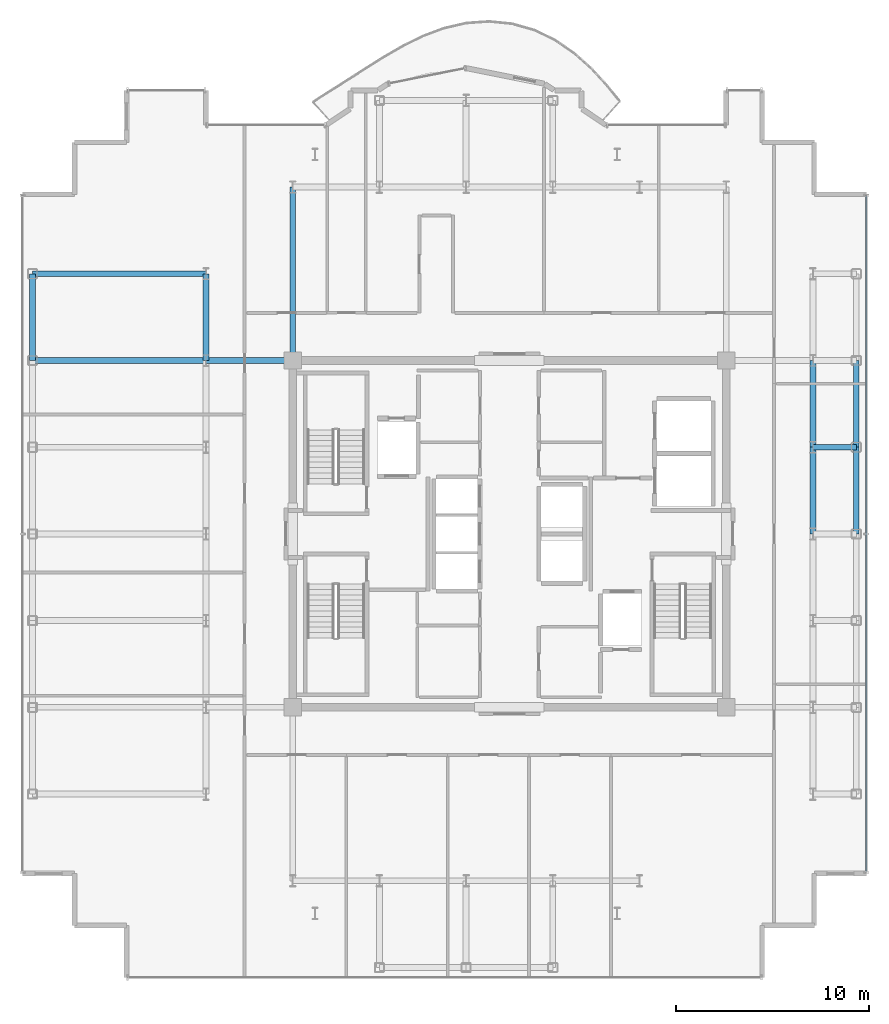
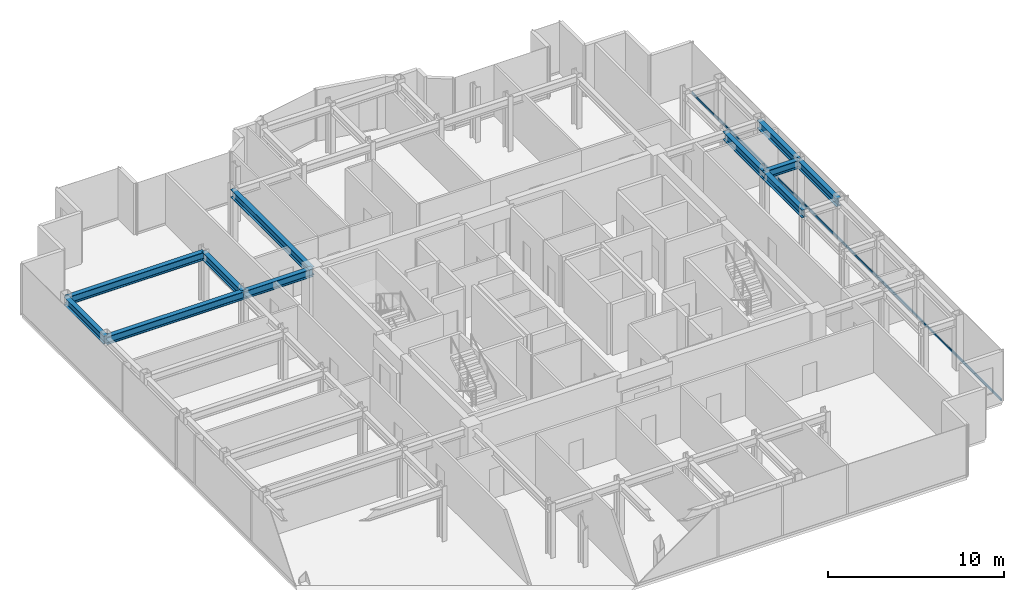
# One storey, part 8 of 18: 11 beams, 1 member, 1 element without a shape of its own.
"""IFC4 building model written with IfcOpenShell, lengths in metres."""

from ifc_helpers import new_model, si_unit, direction, frame, origin, origin_2d, place, context, subcontext, project, spatial, hollow_rectangle, i_section, extrude, source, transform, mapped, material, layer, layer_set, material_profile, profile_set, type_object, element, aggregate, save


model = new_model("IFC4")

# Units and contexts
model_context = context("Model", 3, precision=1e-05, world=origin(), true_north=direction((0.0, 1.0)))
body_context = subcontext(model_context, "Body", "Model", "MODEL_VIEW")
ifc_project = project(units=[si_unit("LENGTHUNIT", "METRE"), si_unit("AREAUNIT", "SQUARE_METRE"), si_unit("VOLUMEUNIT", "CUBIC_METRE"), si_unit("PLANEANGLEUNIT", "RADIAN"), si_unit("MASSUNIT", "GRAM", prefix="KILO")], contexts=[model_context])

# Site, building, storey
site_placement = place(None, origin())
site = spatial("IfcSite", under=ifc_project, at=site_placement, CompositionType="ELEMENT")
building_placement = place(site_placement, origin())
building = spatial("IfcBuilding", under=site, at=building_placement, Name="Nefas-Gora Pilgrimage Tower", CompositionType="ELEMENT")
storey_placement = place(building_placement, frame((0.0, 0.0, 330.0)))
storey = spatial("IfcBuildingStorey", under=building, at=storey_placement, Name="L83", CompositionType="ELEMENT", Elevation=330.0)

# Beams
ifc_material_1 = material(Name="Steel S355", Category="steel")
ifc_material_profile_1 = material_profile(ifc_material_1, i_section(OverallWidth=0.300048828125, OverallDepth=0.550048828125, WebThickness=0.014892578125, FlangeThickness=0.029052734375, FilletRadius=0.027099609375, at=origin_2d()), Name="HEB 550")
ifc_profile_set_1 = profile_set([ifc_material_profile_1], Name="Steel S355")
beam_type_1 = type_object("IfcBeamType", Name="BM-SPN-HEB400", PredefinedType="SPANDREL", material=ifc_profile_set_1)
shared_shape_1 = source(origin(), body_context, "Body", "SweptSolid", [
    extrude(i_section(OverallWidth=0.300048828125, OverallDepth=0.550048828125, WebThickness=0.014892578125, FlangeThickness=0.029052734375, FilletRadius=0.027099609375, at=origin_2d()), origin(), (0.0, 0.0, 1.0), 4.5),
])
for number, where, z_axis, x_axis, name in (
    (1, (-24.75, 9.0, 3.27490234375), (0.0, 1.0, 0.0), (-1.0, 0.0, 0.0), "L83 SP-04 beam"),
    (2, (18.0, 0.0, 3.27490234375), (0.0, 1.0, 0.0), (-1.0, 0.0, 0.0), "L83 SP-04 beam"),
    (3, (18.0, 4.5, 3.27490234375), (0.0, 1.0, 0.0), (-1.0, 0.0, 0.0), "L83 SP-04 beam"),
):
    element("IfcBeam", number, at=place(storey_placement, frame(where, z_axis=z_axis, x_axis=x_axis)), inside=storey, type_object=beam_type_1, Name=name, PredefinedType="SPANDREL", context=body_context, shape_type="MappedRepresentation", body=[
        mapped(shared_shape_1, transform((0.0, 0.0, 0.0), x_axis=(1.0, 0.0, 0.0), y_axis=(0.0, 1.0, 0.0), z_axis=(0.0, 0.0, 1.0), scale=1.0)),
    ])
ifc_material_profile_2 = material_profile(ifc_material_1, i_section(OverallWidth=0.300048828125, OverallDepth=0.550048828125, WebThickness=0.014892578125, FlangeThickness=0.029052734375, FilletRadius=0.027099609375, at=origin_2d()), Name="HEB 550")
ifc_profile_set_2 = profile_set([ifc_material_profile_2], Name="Steel S355")
beam_type_2 = type_object("IfcBeamType", Name="BM-GIR-HEB550", PredefinedType="BEAM", material=ifc_profile_set_2)
shared_shape_2 = source(origin(), body_context, "Body", "SweptSolid", [
    extrude(i_section(OverallWidth=0.300048828125, OverallDepth=0.550048828125, WebThickness=0.014892578125, FlangeThickness=0.029052734375, FilletRadius=0.027099609375, at=origin_2d()), origin(), (0.0, 0.0, 1.0), 9.0),
])
for number, where, z_axis, x_axis, name in (
    (4, (-24.75, 9.0, 3.27490234375), (1.0, 0.0, 0.0), (0.0, 1.0, 0.0), "L83 G-05 beam"),
    (5, (-24.75, 13.5, 3.27490234375), (1.0, 0.0, 0.0), (0.0, 1.0, 0.0), "L83 G-05 beam"),
    (6, (-11.25, 9.0, 3.27490234375), (0.0, 1.0, 0.0), (-1.0, 0.0, 0.0), "L83 G-05 beam"),
):
    element("IfcBeam", number, at=place(storey_placement, frame(where, z_axis=z_axis, x_axis=x_axis)), inside=storey, type_object=beam_type_2, Name=name, PredefinedType="BEAM", context=body_context, shape_type="MappedRepresentation", body=[
        mapped(shared_shape_2, transform((0.0, 0.0, 0.0), x_axis=(1.0, 0.0, 0.0), y_axis=(0.0, 1.0, 0.0), z_axis=(0.0, 0.0, 1.0), scale=1.0)),
    ])
shared_shape_3 = source(origin(), body_context, "Body", "SweptSolid", [
    extrude(i_section(OverallWidth=0.300048828125, OverallDepth=0.550048828125, WebThickness=0.014892578125, FlangeThickness=0.029052734375, FilletRadius=0.027099609375, at=origin_2d()), origin(), (0.0, 0.0, 1.0), 4.5),
])
for number, where, z_axis, x_axis, name in (
    (7, (-15.75, 9.0, 3.27490234375), (0.0, 1.0, 0.0), (-1.0, 0.0, 0.0), "L83 G-05 beam"),
    (8, (-15.75, 9.0, 3.27490234375), (1.0, 0.0, 0.0), (0.0, 1.0, 0.0), "L83 G-05 beam"),
    (9, (15.75, 0.0, 3.27490234375), (0.0, 1.0, 0.0), (-1.0, 0.0, 0.0), "L83 G-05 beam"),
    (10, (15.75, 4.5, 3.27490234375), (0.0, 1.0, 0.0), (-1.0, 0.0, 0.0), "L83 G-05 beam"),
):
    element("IfcBeam", number, at=place(storey_placement, frame(where, z_axis=z_axis, x_axis=x_axis)), inside=storey, type_object=beam_type_2, Name=name, PredefinedType="BEAM", context=body_context, shape_type="MappedRepresentation", body=[
        mapped(shared_shape_3, transform((0.0, 0.0, 0.0), x_axis=(1.0, 0.0, 0.0), y_axis=(0.0, 1.0, 0.0), z_axis=(0.0, 0.0, 1.0), scale=1.0)),
    ])
shared_shape_4 = source(origin(), body_context, "Body", "SweptSolid", [
    extrude(i_section(OverallWidth=0.300048828125, OverallDepth=0.550048828125, WebThickness=0.014892578125, FlangeThickness=0.029052734375, FilletRadius=0.027099609375, at=origin_2d()), origin(), (0.0, 0.0, 1.0), 2.25),
])
beam_placement = place(storey_placement, frame((15.75, 4.5, 3.27490234375), z_axis=(1.0, 0.0, 0.0), x_axis=(0.0, 1.0, 0.0)))
element("IfcBeam", 11, at=beam_placement, inside=storey, type_object=beam_type_2, Name="L83 G-05 beam", PredefinedType="BEAM", context=body_context, shape_type="MappedRepresentation", body=[
    mapped(shared_shape_4, transform((0.0, 0.0, 0.0), x_axis=(1.0, 0.0, 0.0), y_axis=(0.0, 1.0, 0.0), z_axis=(0.0, 0.0, 1.0), scale=1.0)),
])

# Curtain wall, member
ifc_material_2 = material(Name="Dark ceramic-fritted solar-control aluminium-glass curtain wall", Category="aluminium")
ifc_layer = layer(ifc_material_2, 0.219970703125)
ifc_layer_set = layer_set([ifc_layer], Name="Dark ceramic-fritted solar-control aluminium-glass curtain wall")
curtain_wall_type = type_object("IfcCurtainWallType", Name="CW-SYS-4", PredefinedType="NOTDEFINED", material=ifc_layer_set)
curtain_wall_placement = place(storey_placement, origin())
curtain_wall = element("IfcCurtainWall", 12, at=curtain_wall_placement, inside=storey, type_object=curtain_wall_type, Name="L83 Unitised Curtain Wall CW4", PredefinedType="NOTDEFINED")
ifc_material_3 = material(Name="Anodised architectural aluminium", Category="aluminium")
ifc_material_profile_3 = material_profile(ifc_material_3, hollow_rectangle(XDim=0.080078125, YDim=0.159912109375, WallThickness=0.00439453125, InnerFilletRadius=0.00439453125, OuterFilletRadius=0.009033203125, at=origin_2d()), Name="ALU TRANSOM 80x160")
ifc_profile_set_3 = profile_set([ifc_material_profile_3], Name="Anodised architectural aluminium")
member_type = type_object("IfcMemberType", Name="CWM-TRN-4", PredefinedType="USERDEFINED", material=ifc_profile_set_3)
shared_shape_5 = source(origin(), body_context, "Body", "SweptSolid", [
    extrude(hollow_rectangle(XDim=0.080078125, YDim=0.159912109375, WallThickness=0.00439453125, InnerFilletRadius=0.00439453125, OuterFilletRadius=0.009033203125, at=origin_2d()), origin(), (0.0, 0.0, 1.0), 35.06005859375),
])
member_placement = place(storey_placement, frame((18.52001953125, -17.530029296875, 0.050048828125), z_axis=(0.0, 1.0, 0.0), x_axis=(-1.0, 0.0, 0.0)))
member = element("IfcMember", 13, at=member_placement, type_object=member_type, Name="CW4 Spandrel Transom", ObjectType="TRANSOM", PredefinedType="USERDEFINED", context=body_context, shape_type="MappedRepresentation", body=[
    mapped(shared_shape_5, transform((0.0, 0.0, 0.0), x_axis=(1.0, 0.0, 0.0), y_axis=(0.0, 1.0, 0.0), z_axis=(0.0, 0.0, 1.0), scale=1.0)),
])
aggregate(curtain_wall, [member])

save(model, "model.ifc")
